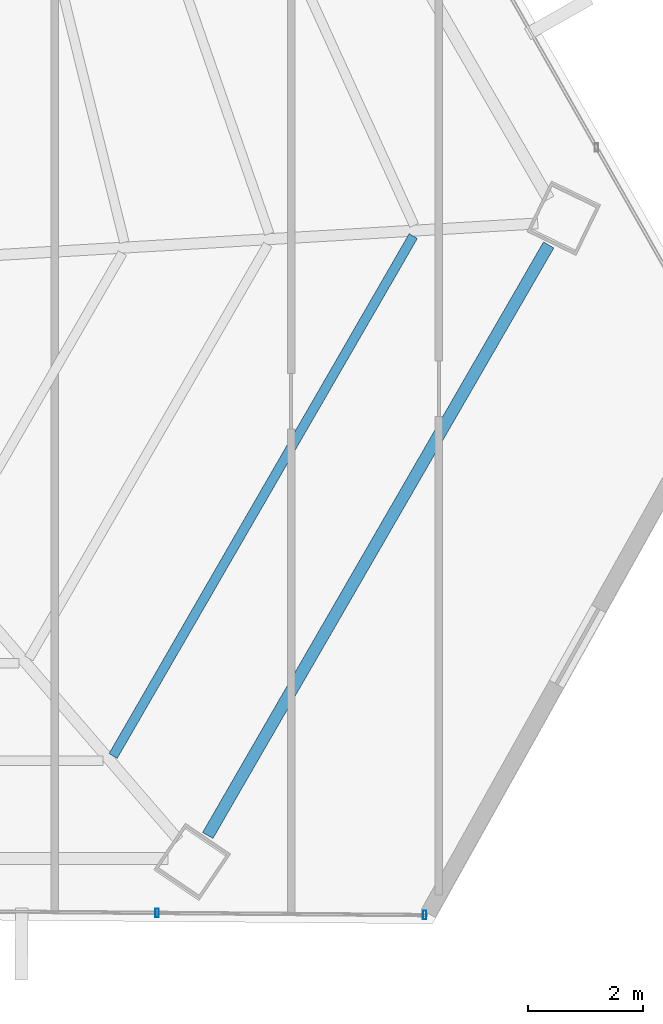
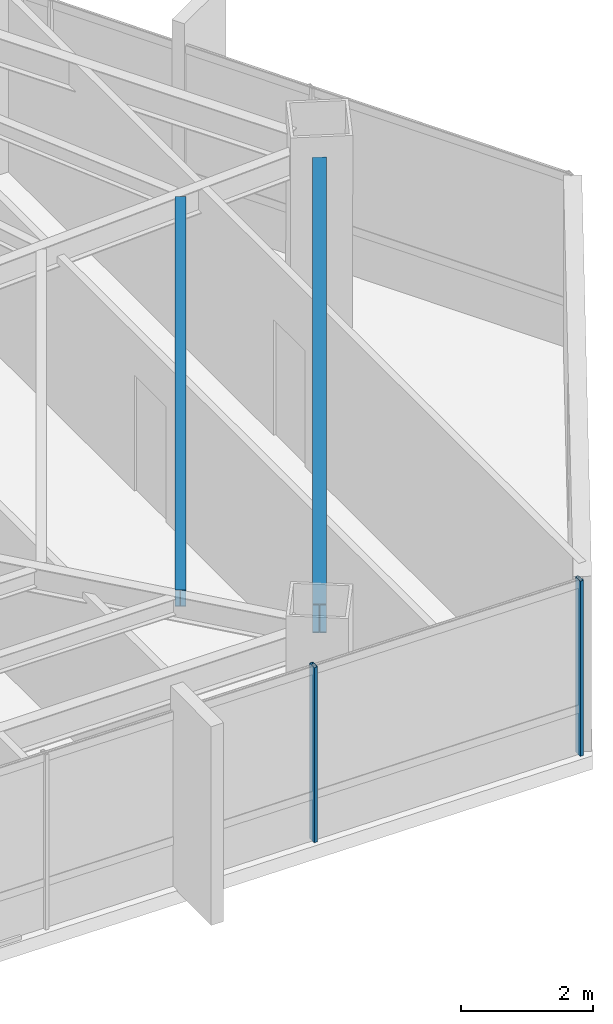
# One storey, part 19 of 40: 2 beams, 2 members, 1 element without a shape of its own.
"""IFC4 building model written with IfcOpenShell, lengths in metres."""

from ifc_helpers import new_model, si_unit, direction, frame, origin, origin_2d, place, context, subcontext, project, spatial, hollow_rectangle, i_section, extrude, source, transform, mapped, material, material_profile, profile_set, type_object, type_shapes, element, aggregate, save


model = new_model("IFC4")

# Units and contexts
model_context = context("Model", 3, precision=1e-05, world=origin(), true_north=direction((0.0, 1.0)))
body_context = subcontext(model_context, "Body", "Model", "MODEL_VIEW")
ifc_project = project(units=[si_unit("LENGTHUNIT", "METRE"), si_unit("AREAUNIT", "SQUARE_METRE"), si_unit("VOLUMEUNIT", "CUBIC_METRE"), si_unit("PLANEANGLEUNIT", "RADIAN"), si_unit("MASSUNIT", "GRAM", prefix="KILO")], contexts=[model_context])

# Site, building, storey
site_placement = place(None, origin())
site = spatial("IfcSite", under=ifc_project, at=site_placement, CompositionType="ELEMENT")
building_placement = place(site_placement, origin())
building = spatial("IfcBuilding", under=site, at=building_placement, Name="Caelisora Broadcast Tower", CompositionType="ELEMENT")
storey_placement = place(building_placement, frame((0.0, 0.0, 146.39990234375)))
storey = spatial("IfcBuildingStorey", under=building, at=storey_placement, Name="L38", CompositionType="ELEMENT", Elevation=146.39990234375)

# Beams
ifc_material_1 = material(Name="Steel Grade 350 (AS/NZS 3679.1)", Category="steel")
ifc_material_profile_1 = material_profile(ifc_material_1, i_section(OverallWidth=0.208984375, OverallDepth=0.532958984375, WebThickness=0.01025390625, FlangeThickness=0.015625, at=origin_2d()), Name="Steel Grade 350 (AS/NZS 3679.1)")
ifc_profile_set_1 = profile_set([ifc_material_profile_1], Name="Steel Grade 350 (AS/NZS 3679.1)")
beam_type_1 = type_object("IfcBeamType", Name="PG05", PredefinedType="BEAM", material=ifc_profile_set_1)
shared_shape_1 = source(origin(), body_context, "Body", "SweptSolid", [
    extrude(i_section(OverallWidth=0.208984375, OverallDepth=0.532958984375, WebThickness=0.01025390625, FlangeThickness=0.015625, at=origin_2d()), origin(), (0.0, 0.0, 1.0), 11.85302734375),
])
type_shapes(beam_type_1, [shared_shape_1])
beam_1_placement = place(storey_placement, frame((54.511474609375, 7.623779296875, 2.983642578125), z_axis=(0.500004756968, 0.866022657331, 0.0), x_axis=(-0.866022657331, 0.500004756968, 0.0)))
element("IfcBeam", 1, at=beam_1_placement, inside=storey, type_object=beam_type_1, Name="L38 beam PG05", PredefinedType="BEAM", context=body_context, shape_type="MappedRepresentation", body=[
    mapped(shared_shape_1, transform((0.0, 0.0, 0.0), scale=1.0)),
])
ifc_material_profile_2 = material_profile(ifc_material_1, i_section(OverallWidth=0.166015625, OverallDepth=0.30712890625, WebThickness=0.006591796875, FlangeThickness=0.01171875, at=origin_2d()), Name="Steel Grade 350 (AS/NZS 3679.1)")
ifc_profile_set_2 = profile_set([ifc_material_profile_2], Name="Steel Grade 350 (AS/NZS 3679.1)")
beam_type_2 = type_object("IfcBeamType", Name="SB03", PredefinedType="JOIST", material=ifc_profile_set_2)
shared_shape_2 = source(origin(), body_context, "Body", "SweptSolid", [
    extrude(i_section(OverallWidth=0.166015625, OverallDepth=0.30712890625, WebThickness=0.006591796875, FlangeThickness=0.01171875, at=origin_2d()), origin(), (0.0, 0.0, 1.0), 10.434814453125),
])
type_shapes(beam_type_2, [shared_shape_2])
beam_2_placement = place(storey_placement, frame((52.866943359375, 9.006103515625, 3.096435546875), z_axis=(0.499989116703, 0.866031687168, 0.0), x_axis=(-0.866031687168, 0.499989116703, 0.0)))
element("IfcBeam", 2, at=beam_2_placement, inside=storey, type_object=beam_type_2, Name="L38 beam SB03", PredefinedType="JOIST", context=body_context, shape_type="MappedRepresentation", body=[
    mapped(shared_shape_2, transform((0.0, 0.0, 0.0), scale=1.0)),
])

# Curtain wall, members
ifc_material_2 = material(Name="Unitised Aluminium and Low-E Glass Curtain Wall", Category="glass")
curtain_wall_type = type_object("IfcCurtainWallType", Name="CW-Z3", PredefinedType="NOTDEFINED", material=ifc_material_2)
curtain_wall_placement = place(storey_placement, origin())
curtain_wall = element("IfcCurtainWall", 3, at=curtain_wall_placement, inside=storey, type_object=curtain_wall_type, Name="L38 curtain wall CW-Z3", PredefinedType="NOTDEFINED")
ifc_material_3 = material(Name="Aluminium 6063-T6 Anodised Terracotta Bronze", Category="aluminium")
ifc_material_profile_3 = material_profile(ifc_material_3, hollow_rectangle(XDim=0.06005859375, YDim=0.14990234375, WallThickness=0.00341796875, at=origin_2d()), Name="Aluminium 6063-T6 Anodised Terracotta Bronze")
ifc_profile_set_3 = profile_set([ifc_material_profile_3], Name="Aluminium 6063-T6 Anodised Terracotta Bronze")
member_type = type_object("IfcMemberType", Name="CWM-03", PredefinedType="MULLION", material=ifc_profile_set_3)
shared_shape_3 = source(origin(), body_context, "Body", "SweptSolid", [
    extrude(hollow_rectangle(XDim=0.06005859375, YDim=0.14990234375, WallThickness=0.00341796875, at=origin_2d()), origin(), (0.0, 0.0, 1.0), 3.25),
])
type_shapes(member_type, [shared_shape_3])
member_1_placement = place(storey_placement, frame((58.280029296875, 6.240478515625, 0.0), z_axis=(0.0, 0.0, 1.0), x_axis=(1.0, 0.0, 0.0)))
member_1 = element("IfcMember", 4, at=member_1_placement, type_object=member_type, Name="L38-CW-B05 mullion #0", PredefinedType="MULLION", context=body_context, shape_type="MappedRepresentation", body=[
    mapped(shared_shape_3, transform((0.0, 0.0, 0.0), scale=1.0)),
])
member_2_placement = place(storey_placement, frame((53.63134765625, 6.27880859375, 0.0), z_axis=(0.0, 0.0, 1.0), x_axis=(1.0, 0.0, 0.0)))
member_2 = element("IfcMember", 5, at=member_2_placement, type_object=member_type, Name="L38-CW-B05 mullion #1", PredefinedType="MULLION", context=body_context, shape_type="MappedRepresentation", body=[
    mapped(shared_shape_3, transform((0.0, 0.0, 0.0), scale=1.0)),
])
aggregate(curtain_wall, [member_1, member_2])

save(model, "model.ifc")
